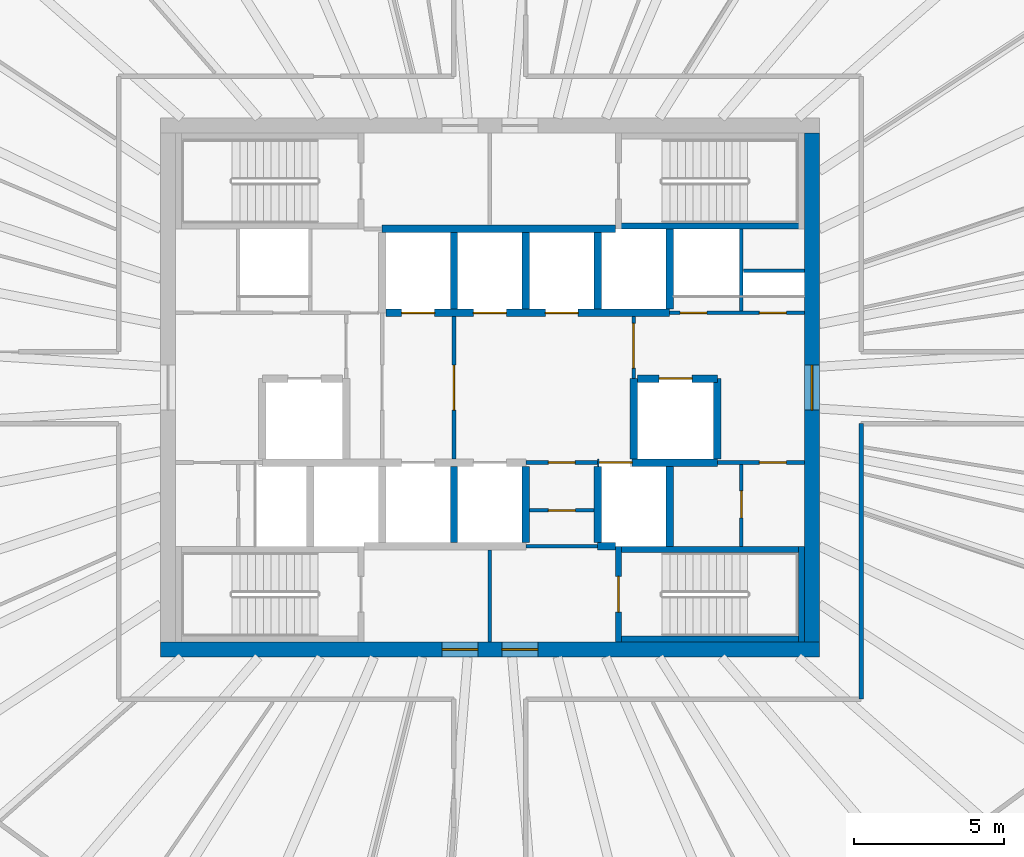
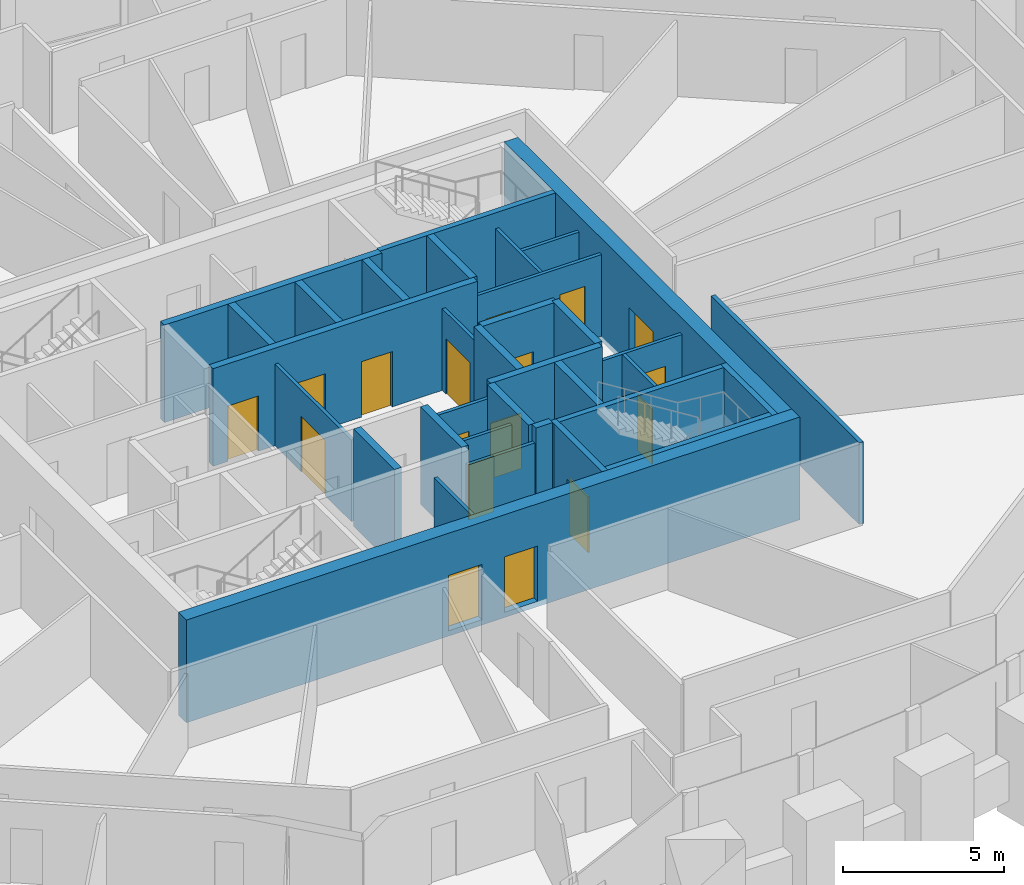
# One storey, part 8 of 12: 34 walls, 17 doors, 17 openings.
"""IFC4 building model written with IfcOpenShell, lengths in metres."""

import ifcopenshell
import ifcopenshell.guid

model = None  # the IFC model being written
_history = None  # IfcOwnerHistory: only IFC2X3 demands one
_inside = {}  # id of a spatial element -> (the spatial element, [elements in it])
_under = {}  # id of a project, library or spatial element -> (it, [spatial elements below it])
_declared = {}  # id of a project -> (the project, [libraries it declares])
_typed = {}  # id of a type object -> (the type object, [elements of that type])
_made_of = {}  # id of a material, layer set ... -> (it, [elements and type objects made of it])


def new_model(schema):
    """Start an empty IFC model of exactly this schema.

    Asked for "IFC4X3", IfcOpenShell would pick the latest addendum, in which some entities
    have other attributes; the version numbers below select the first issue.
    IFC2X3 requires an IfcOwnerHistory on every rooted entity: one is made here for all.
    """
    global model, _history
    if schema == "IFC4X3":
        model = ifcopenshell.file(schema_version=(4, 3, 0, 0))
    else:
        model = ifcopenshell.file(schema=schema)
    _inside.clear()
    _under.clear()
    _declared.clear()
    _typed.clear()
    _made_of.clear()
    _history = None
    if model.schema == "IFC2X3":
        org = make("IfcOrganization", Name="unknown")
        user = make(
            "IfcPersonAndOrganization",
            ThePerson=make("IfcPerson", FamilyName="unknown"),
            TheOrganization=org,
        )
        app = make(
            "IfcApplication",
            ApplicationDeveloper=org,
            Version="unknown",
            ApplicationFullName="unknown",
            ApplicationIdentifier="unknown",
        )
        _history = make(
            "IfcOwnerHistory",
            OwningUser=user,
            OwningApplication=app,
            ChangeAction="ADDED",
            CreationDate=0,
        )
    return model


def make(cls, **values):
    """One entity of the class cls with the attributes given. An attribute that is None is left unset."""
    return model.create_entity(
        cls, **{name: value for name, value in values.items() if value is not None}
    )


def rooted(cls, **values):
    """An entity with a GlobalId (a new one), such as an element, a storey or a relation."""
    return make(cls, GlobalId=ifcopenshell.guid.new(), OwnerHistory=_history, **values)


def si_unit(unit_type, name, prefix=None):
    """IfcSIUnit, for example si_unit("LENGTHUNIT", "METRE", prefix="MILLI")."""
    return make("IfcSIUnit", UnitType=unit_type, Prefix=prefix, Name=name)


def assignment(units):
    """IfcUnitAssignment: the units of a project."""
    return None if units is None else make("IfcUnitAssignment", Units=units)


def point(xyz):
    """IfcCartesianPoint."""
    return None if xyz is None else make("IfcCartesianPoint", Coordinates=xyz)


def direction(xyz):
    """IfcDirection."""
    return None if xyz is None else make("IfcDirection", DirectionRatios=xyz)


def frame(location, z_axis=None, x_axis=None):
    """IfcAxis2Placement3D, a coordinate frame: its origin and axes. An axis left out is left unset."""
    return make(
        "IfcAxis2Placement3D",
        Location=point(location),
        Axis=direction(z_axis),
        RefDirection=direction(x_axis),
    )


def frame_2d(location, x_axis=None):
    """IfcAxis2Placement2D, a coordinate frame in the plane: its origin and x axis."""
    return make(
        "IfcAxis2Placement2D", Location=point(location), RefDirection=direction(x_axis)
    )


def origin():
    """The frame at (0, 0, 0) with its axes left unset."""
    return frame((0.0, 0.0, 0.0))


def place(relative_to, where):
    """IfcLocalPlacement: puts the frame where relative to a parent placement (None: the world)."""
    return make(
        "IfcLocalPlacement", PlacementRelTo=relative_to, RelativePlacement=where
    )


def context(
    kind, dimensions, precision=None, world=None, true_north=None, identifier=None
):
    """IfcGeometricRepresentationContext, for example the 3D "Model" context."""
    return make(
        "IfcGeometricRepresentationContext",
        ContextIdentifier=identifier,
        ContextType=kind,
        CoordinateSpaceDimension=dimensions,
        Precision=precision,
        WorldCoordinateSystem=world,
        TrueNorth=true_north,
    )


def subcontext(parent, identifier, kind, view, scale=None):
    """IfcGeometricRepresentationSubContext, for example "Body" below "Model"."""
    return make(
        "IfcGeometricRepresentationSubContext",
        ContextIdentifier=identifier,
        ContextType=kind,
        ParentContext=parent,
        TargetScale=scale,
        TargetView=view,
    )


def project(units=None, contexts=None):
    """IfcProject with its units and contexts."""
    return rooted(
        "IfcProject",
        Name="project",
        RepresentationContexts=contexts,
        UnitsInContext=assignment(units),
    )


def spatial(cls, under=None, at=None, **own):
    """A site, building, storey or space (cls), placed at a placement, below another one or the project."""
    s = rooted(cls, ObjectPlacement=at, **own)
    if under is not None:
        _under.setdefault(under.id(), (under, []))[1].append(s)
    return s


def profile(cls, at=None, kind="AREA", **sizes):
    """A parametric profile (cls). Its sizes go by their IFC names, for example OverallWidth=200.0."""
    return make(cls, ProfileType=kind, Position=at, **sizes)


def rectangle(**sizes):
    """IfcRectangleProfileDef."""
    return profile("IfcRectangleProfileDef", **sizes)


def extrude(swept, where, along, depth):
    """IfcExtrudedAreaSolid: the profile swept, set in the frame where, extruded along a direction by depth."""
    return make(
        "IfcExtrudedAreaSolid",
        SweptArea=swept,
        Position=where,
        ExtrudedDirection=direction(along),
        Depth=depth,
    )


def shape(context_of_items, identifier, shape_type, items):
    """IfcShapeRepresentation: the items that make up one representation, for example the "Body"."""
    return make(
        "IfcShapeRepresentation",
        ContextOfItems=context_of_items,
        RepresentationIdentifier=identifier,
        RepresentationType=shape_type,
        Items=items,
    )


def source(mapping_origin, context_of_items, identifier, shape_type, items):
    """IfcRepresentationMap: a shape defined once, which mapped items show again and again."""
    return make(
        "IfcRepresentationMap",
        MappingOrigin=mapping_origin,
        MappedRepresentation=shape(context_of_items, identifier, shape_type, items),
    )


def transform(
    local_origin,
    x_axis=None,
    y_axis=None,
    z_axis=None,
    scale=None,
    scale2=None,
    scale3=None,
    uniform=True,
):
    """IfcCartesianTransformationOperator3D, or its non-uniform kind. x_axis, y_axis, z_axis: its Axis1, 2, 3."""
    if uniform:
        return make(
            "IfcCartesianTransformationOperator3D",
            Axis1=direction(x_axis),
            Axis2=direction(y_axis),
            LocalOrigin=point(local_origin),
            Scale=scale,
            Axis3=direction(z_axis),
        )
    return make(
        "IfcCartesianTransformationOperator3DnonUniform",
        Axis1=direction(x_axis),
        Axis2=direction(y_axis),
        LocalOrigin=point(local_origin),
        Scale=scale,
        Axis3=direction(z_axis),
        Scale2=scale2,
        Scale3=scale3,
    )


def mapped(mapping_source, mapping_target):
    """IfcMappedItem: shows the shape of a source again, moved by a transform."""
    return make(
        "IfcMappedItem", MappingSource=mapping_source, MappingTarget=mapping_target
    )


def material(Name=None, Category=None):
    """IfcMaterial."""
    return make("IfcMaterial", Name=Name, Category=Category)


def layer(
    of_material, thickness, ventilated=None, Name=None, Category=None, Priority=None
):
    """IfcMaterialLayer: one layer of a wall or slab, of a material (None: an air gap)."""
    return make(
        "IfcMaterialLayer",
        Material=of_material,
        LayerThickness=thickness,
        IsVentilated=ventilated,
        Name=Name,
        Category=Category,
        Priority=Priority,
    )


def layer_set(layers, Name=None):
    """IfcMaterialLayerSet."""
    return make("IfcMaterialLayerSet", MaterialLayers=layers, LayerSetName=Name)


def made_of(thing, what):
    """Note that an element or type object is made of a material, layer set ...; save() writes the relation."""
    if what is not None:
        _made_of.setdefault(what.id(), (what, []))[1].append(thing)
    return thing


def type_object(cls, material=None, **own):
    """A type object (cls), such as IfcWallType, which elements share."""
    return made_of(rooted(cls, **own), material)


def element(
    cls,
    number,
    at=None,
    inside=None,
    cuts=None,
    type_object=None,
    material=None,
    context=None,
    identifier="Body",
    shape_type=None,
    held_by="IfcProductDefinitionShape",
    body=None,
    shapes=None,
    **own,
):
    """One element of the class cls, such as IfcWall. Its Tag is "e" and its number.

    at: its placement. inside: the storey or other place that contains it. cuts: it is an
    opening in that element (IfcRelVoidsElement). A single representation is given by context,
    identifier, shape_type and body (its items); several are given by shapes. held_by: the class
    of the entity that holds the representations. save() writes the other relations.
    """
    e = rooted(cls, Tag="e%d" % number, ObjectPlacement=at, **own)
    if body is not None:
        shapes = [shape(context, identifier, shape_type, body)]
    if shapes is not None:
        e.Representation = make(held_by, Representations=shapes)
    if inside is not None:
        _inside.setdefault(inside.id(), (inside, []))[1].append(e)
    if cuts is not None:
        rooted(
            "IfcRelVoidsElement", RelatingBuildingElement=cuts, RelatedOpeningElement=e
        )
    if type_object is not None:
        _typed.setdefault(type_object.id(), (type_object, []))[1].append(e)
    return made_of(e, material)


def fill(opening, filler):
    """IfcRelFillsElement: the door or window that sits in an opening."""
    return rooted(
        "IfcRelFillsElement",
        RelatingOpeningElement=opening,
        RelatedBuildingElement=filler,
    )


def aggregate(whole, parts):
    """IfcRelAggregates: a whole, such as a stair, and the parts it consists of."""
    return rooted("IfcRelAggregates", RelatingObject=whole, RelatedObjects=parts)


def save(model, path):
    """Write the relations noted so far, then the file.

    IfcRelAggregates (storeys below a building ...), IfcRelContainedInSpatialStructure (elements
    in a storey), IfcRelDefinesByType, IfcRelAssociatesMaterial and IfcRelDeclares: one each for
    every whole, place, type object, material and project.
    """
    for whole, parts in _under.values():
        aggregate(whole, parts)
    for where, things in _inside.values():
        rooted(
            "IfcRelContainedInSpatialStructure",
            RelatedElements=things,
            RelatingStructure=where,
        )
    for kind, things in _typed.values():
        rooted("IfcRelDefinesByType", RelatedObjects=things, RelatingType=kind)
    for what, things in _made_of.values():
        rooted("IfcRelAssociatesMaterial", RelatedObjects=things, RelatingMaterial=what)
    for by, libraries in _declared.values():
        rooted("IfcRelDeclares", RelatingContext=by, RelatedDefinitions=libraries)
    model.write(path)


model = new_model("IFC4")

# Units and contexts
model_context = context("Model", 3, precision=1e-05, world=origin(), true_north=direction((0.0, 1.0)))
body_context = subcontext(model_context, "Body", "Model", "MODEL_VIEW")
ifc_project = project(units=[si_unit("LENGTHUNIT", "METRE"), si_unit("AREAUNIT", "SQUARE_METRE"), si_unit("VOLUMEUNIT", "CUBIC_METRE"), si_unit("PLANEANGLEUNIT", "RADIAN"), si_unit("MASSUNIT", "GRAM", prefix="KILO")], contexts=[model_context])

# Site, building, storey
site_placement = place(None, origin())
site = spatial("IfcSite", under=ifc_project, at=site_placement, CompositionType="ELEMENT")
building_placement = place(site_placement, origin())
building = spatial("IfcBuilding", under=site, at=building_placement, Name="Embergate Tower", CompositionType="ELEMENT")
storey_placement = place(building_placement, frame((0.0, 0.0, 246.10009765625)))
storey = spatial("IfcBuildingStorey", under=building, at=storey_placement, Name="L56", CompositionType="ELEMENT", Elevation=246.10009765625)

# Wall, openings, doors
ifc_material_1 = material(Name="Concrete C50", Category="concrete")
ifc_layer_1 = layer(ifc_material_1, 0.5)
ifc_layer_set_1 = layer_set([ifc_layer_1], Name="Concrete C50")
wall_type_1 = type_object("IfcWallType", Name="Core outer wall C50 500", PredefinedType="SHEAR", material=ifc_layer_set_1)
shared_shape_1 = source(origin(), body_context, "Body", "SweptSolid", [
    extrude(rectangle(XDim=22.0, YDim=0.5, at=frame_2d((11.0, 0.0))), origin(), (0.0, 0.0, 1.0), 3.900146484375),
])
wall_1_placement = place(storey_placement, frame((-11.0, -8.75, -0.2001953125), z_axis=(0.0, 0.0, 1.0), x_axis=(1.0, 0.0, 0.0)))
wall_1 = element("IfcWall", 1, at=wall_1_placement, inside=storey, type_object=wall_type_1, Name="CW-L56-S", PredefinedType="SHEAR", context=body_context, shape_type="MappedRepresentation", body=[
    mapped(shared_shape_1, transform((0.0, 0.0, 0.0))),
])
shared_shape_2 = source(origin(), body_context, "Body", "SweptSolid", [
    extrude(rectangle(XDim=1.199951171875, YDim=2.10009765625, at=frame_2d((0.60009765625, 1.050048828125))), frame((0.0, 0.260009765625, 0.0), z_axis=(0.0, -1.0, 0.0), x_axis=(1.0, 0.0, 0.0)), (0.0, 0.0, 1.0), 0.52001953125),
])
opening_1_placement = place(wall_1_placement, frame((9.39990234375, 0.0, 0.199951171875)))
opening_1 = element("IfcOpeningElement", 2, at=opening_1_placement, cuts=wall_1, Name="Opening IF-1", PredefinedType="OPENING", context=body_context, shape_type="MappedRepresentation", body=[
    mapped(shared_shape_2, transform((0.0, 0.0, 0.0))),
])
opening_2_placement = place(wall_1_placement, frame((11.39990234375, 0.0, 0.199951171875)))
opening_2 = element("IfcOpeningElement", 3, at=opening_2_placement, cuts=wall_1, Name="Opening IF-1", PredefinedType="OPENING", context=body_context, shape_type="MappedRepresentation", body=[
    mapped(shared_shape_2, transform((0.0, 0.0, 0.0))),
])
ifc_material_2 = material(Name="Escape fire door 1200")
door_type_1 = type_object("IfcDoorType", Name="Escape fire door 1200", OperationType="SINGLE_SWING_LEFT", PredefinedType="DOOR", material=ifc_material_2)
shared_shape_3 = source(origin(), body_context, "Body", "SweptSolid", [
    extrude(rectangle(XDim=1.199951171875, YDim=2.10009765625, at=frame_2d((0.60009765625, 1.050048828125))), frame((0.0, 0.02490234375, 0.0), z_axis=(0.0, -1.0, 0.0), x_axis=(1.0, 0.0, 0.0)), (0.0, 0.0, 1.0), 0.050048828125),
])
door_1_placement = place(opening_1_placement, origin())
door_1 = element("IfcDoor", 4, at=door_1_placement, inside=storey, type_object=door_type_1, Name="IF-1 door", OperationType="SINGLE_SWING_LEFT", OverallHeight=2.10009765625, OverallWidth=1.199951171875, PredefinedType="DOOR", context=body_context, shape_type="MappedRepresentation", body=[
    mapped(shared_shape_3, transform((0.0, 0.0, 0.0))),
])
fill(opening_1, door_1)
door_2_placement = place(opening_2_placement, origin())
door_2 = element("IfcDoor", 5, at=door_2_placement, inside=storey, type_object=door_type_1, Name="IF-1 door", OperationType="SINGLE_SWING_LEFT", OverallHeight=2.10009765625, OverallWidth=1.199951171875, PredefinedType="DOOR", context=body_context, shape_type="MappedRepresentation", body=[
    mapped(shared_shape_3, transform((0.0, 0.0, 0.0))),
])
fill(opening_2, door_2)

# Wall, opening, door
shared_shape_4 = source(origin(), body_context, "Body", "SweptSolid", [
    extrude(rectangle(XDim=17.0, YDim=0.5, at=frame_2d((8.5, 0.0))), origin(), (0.0, 0.0, 1.0), 3.900146484375),
])
wall_2_placement = place(storey_placement, frame((10.75, -8.5, -0.2001953125), z_axis=(0.0, 0.0, 1.0), x_axis=(0.0, 1.0, 0.0)))
wall_2 = element("IfcWall", 6, at=wall_2_placement, inside=storey, type_object=wall_type_1, Name="CW-L56-E", PredefinedType="SHEAR", context=body_context, shape_type="MappedRepresentation", body=[
    mapped(shared_shape_4, transform((0.0, 0.0, 0.0))),
])
shared_shape_5 = source(origin(), body_context, "Body", "SweptSolid", [
    extrude(rectangle(XDim=1.5, YDim=2.10009765625, at=frame_2d((0.75, 1.050048828125))), frame((0.0, 0.260009765625, 0.0), z_axis=(0.0, -1.0, 0.0), x_axis=(1.0, 0.0, 0.0)), (0.0, 0.0, 1.0), 0.52001953125),
])
opening_3_placement = place(wall_2_placement, frame((7.75, 0.0, 0.199951171875)))
opening_3 = element("IfcOpeningElement", 7, at=opening_3_placement, cuts=wall_2, Name="Opening IF-3", PredefinedType="OPENING", context=body_context, shape_type="MappedRepresentation", body=[
    mapped(shared_shape_5, transform((0.0, 0.0, 0.0))),
])
ifc_material_3 = material(Name="Lobby fire door pair 1500")
door_type_2 = type_object("IfcDoorType", Name="Lobby fire door pair 1500", OperationType="DOUBLE_DOOR_SINGLE_SWING", PredefinedType="DOOR", material=ifc_material_3)
shared_shape_6 = source(origin(), body_context, "Body", "SweptSolid", [
    extrude(rectangle(XDim=1.5, YDim=2.10009765625, at=frame_2d((0.75, 1.050048828125))), frame((0.0, 0.02490234375, 0.0), z_axis=(0.0, -1.0, 0.0), x_axis=(1.0, 0.0, 0.0)), (0.0, 0.0, 1.0), 0.050048828125),
])
door_3_placement = place(opening_3_placement, origin())
door_3 = element("IfcDoor", 8, at=door_3_placement, inside=storey, type_object=door_type_2, Name="IF-3 door", OperationType="DOUBLE_DOOR_SINGLE_SWING", OverallHeight=2.10009765625, OverallWidth=1.5, PredefinedType="DOOR", context=body_context, shape_type="MappedRepresentation", body=[
    mapped(shared_shape_6, transform((0.0, 0.0, 0.0))),
])
fill(opening_3, door_3)

# Walls
ifc_layer_2 = layer(ifc_material_1, 0.25)
ifc_layer_set_2 = layer_set([ifc_layer_2], Name="Concrete C50")
wall_type_2 = type_object("IfcWallType", Name="Hoistway wall reinforced concrete 250", PredefinedType="SHEAR", material=ifc_layer_set_2)
shared_shape_7 = source(origin(), body_context, "Body", "SweptSolid", [
    extrude(rectangle(XDim=2.675048828125, YDim=0.25, at=frame_2d((1.33740234375, 0.0))), origin(), (0.0, 0.0, 1.0), 3.699951171875),
])
for number, where, z_axis, x_axis, name in (
    (9, (6.0, 2.625, 0.0), (0.0, 0.0, 1.0), (0.0, 1.0, 0.0), "HW-1 wall"),
    (10, (6.0, -5.300048828125, 0.0), (0.0, 0.0, 1.0), (0.0, 1.0, 0.0), "HW-1 wall"),
    (11, (4.800048828125, -2.375, 0.0), (0.0, 0.0, 1.0), (0.0, 1.0, 0.0), "HW-1 wall"),
):
    element("IfcWall", number, at=place(storey_placement, frame(where, z_axis=z_axis, x_axis=x_axis)), inside=storey, type_object=wall_type_2, Name=name, PredefinedType="SHEAR", context=body_context, shape_type="MappedRepresentation", body=[
        mapped(shared_shape_7, transform((0.0, 0.0, 0.0))),
    ])

# Wall, opening, door
wall_3_placement = place(storey_placement, frame((7.60009765625, 0.300048828125, 0.0), z_axis=(0.0, 0.0, 1.0), x_axis=(-1.0, 0.0, 0.0)))
wall_3 = element("IfcWall", 12, at=wall_3_placement, inside=storey, type_object=wall_type_2, Name="HW-1 wall", PredefinedType="SHEAR", context=body_context, shape_type="MappedRepresentation", body=[
    mapped(shared_shape_7, transform((0.0, 0.0, 0.0))),
])
shared_shape_8 = source(origin(), body_context, "Body", "SweptSolid", [
    extrude(rectangle(XDim=1.10009765625, YDim=2.10009765625, at=frame_2d((0.550048828125, 1.050048828125))), frame((0.0, 0.135009765625, 0.0), z_axis=(0.0, -1.0, 0.0), x_axis=(1.0, 0.0, 0.0)), (0.0, 0.0, 1.0), 0.27001953125),
])
opening_4_placement = place(wall_3_placement, frame((0.85009765625, 0.0, 0.0)))
opening_4 = element("IfcOpeningElement", 13, at=opening_4_placement, cuts=wall_3, Name="Opening LD", PredefinedType="OPENING", context=body_context, shape_type="MappedRepresentation", body=[
    mapped(shared_shape_8, transform((0.0, 0.0, 0.0))),
])
ifc_material_4 = material(Name="Landing door sliding 1100")
door_type_3 = type_object("IfcDoorType", Name="Landing door sliding 1100", OperationType="SLIDING_TO_LEFT", PredefinedType="DOOR", material=ifc_material_4)
shared_shape_9 = source(origin(), body_context, "Body", "SweptSolid", [
    extrude(rectangle(XDim=1.10009765625, YDim=2.10009765625, at=frame_2d((0.550048828125, 1.050048828125))), frame((0.0, 0.02490234375, 0.0), z_axis=(0.0, -1.0, 0.0), x_axis=(1.0, 0.0, 0.0)), (0.0, 0.0, 1.0), 0.050048828125),
])
door_4_placement = place(opening_4_placement, origin())
door_4 = element("IfcDoor", 14, at=door_4_placement, inside=storey, type_object=door_type_3, Name="LD door", OperationType="SLIDING_TO_LEFT", OverallHeight=2.10009765625, OverallWidth=1.10009765625, PredefinedType="DOOR", context=body_context, shape_type="MappedRepresentation", body=[
    mapped(shared_shape_9, transform((0.0, 0.0, 0.0))),
])
fill(opening_4, door_4)

# Walls
wall_4_placement = place(storey_placement, frame((7.60009765625, -2.375, 0.0), z_axis=(0.0, 0.0, 1.0), x_axis=(0.0, 1.0, 0.0)))
element("IfcWall", 15, at=wall_4_placement, inside=storey, type_object=wall_type_2, Name="HW-1 wall", PredefinedType="SHEAR", context=body_context, shape_type="MappedRepresentation", body=[
    mapped(shared_shape_7, transform((0.0, 0.0, 0.0))),
])
ifc_layer_3 = layer(ifc_material_1, 0.199951171875)
ifc_layer_set_3 = layer_set([ifc_layer_3], Name="Concrete C50")
wall_type_3 = type_object("IfcWallType", Name="Stair enclosure wall reinforced concrete 250", PredefinedType="SHEAR", material=ifc_layer_set_3)
shared_shape_10 = source(origin(), body_context, "Body", "SweptSolid", [
    extrude(rectangle(XDim=6.300048828125, YDim=0.199951171875, at=frame_2d((3.14990234375, 0.0))), origin(), (0.0, 0.0, 1.0), 3.699951171875),
])
for number, where, z_axis, x_axis, name in (
    (16, (10.5, 5.39990234375, 0.0), (0.0, 0.0, 1.0), (-1.0, 0.0, 0.0), "SE-1 wall"),
    (17, (4.199951171875, -5.39990234375, 0.0), (0.0, 0.0, 1.0), (1.0, 0.0, 0.0), "SE-1 wall"),
):
    element("IfcWall", number, at=place(storey_placement, frame(where, z_axis=z_axis, x_axis=x_axis)), inside=storey, type_object=wall_type_3, Name=name, PredefinedType="SHEAR", context=body_context, shape_type="MappedRepresentation", body=[
        mapped(shared_shape_10, transform((0.0, 0.0, 0.0))),
    ])
shared_shape_11 = source(origin(), body_context, "Body", "SweptSolid", [
    extrude(rectangle(XDim=2.550048828125, YDim=0.25, at=frame_2d((1.27490234375, 0.0))), origin(), (0.0, 0.0, 1.0), 3.699951171875),
])
for number, where, z_axis, x_axis, name in (
    (18, (-1.199951171875, 2.625, 0.0), (0.0, 0.0, 1.0), (0.0, 1.0, 0.0), "HW-1 wall"),
    (19, (1.199951171875, 2.625, 0.0), (0.0, 0.0, 1.0), (0.0, 1.0, 0.0), "HW-1 wall"),
    (20, (3.60009765625, 2.625, 0.0), (0.0, 0.0, 1.0), (0.0, 1.0, 0.0), "HW-1 wall"),
    (21, (-1.199951171875, -5.175048828125, 0.0), (0.0, 0.0, 1.0), (0.0, 1.0, 0.0), "HW-1 wall"),
    (22, (1.199951171875, -5.175048828125, 0.0), (0.0, 0.0, 1.0), (0.0, 1.0, 0.0), "HW-1 wall"),
    (23, (3.60009765625, -2.625, 0.0), (0.0, 0.0, 1.0), (0.0, -1.0, 0.0), "HW-1 wall"),
):
    element("IfcWall", number, at=place(storey_placement, frame(where, z_axis=z_axis, x_axis=x_axis)), inside=storey, type_object=wall_type_2, Name=name, PredefinedType="SHEAR", context=body_context, shape_type="MappedRepresentation", body=[
        mapped(shared_shape_11, transform((0.0, 0.0, 0.0))),
    ])

# Wall, opening, door
shared_shape_12 = source(origin(), body_context, "Body", "SweptSolid", [
    extrude(rectangle(XDim=3.199951171875, YDim=0.199951171875, at=frame_2d((1.60009765625, 0.0))), origin(), (0.0, 0.0, 1.0), 3.699951171875),
])
wall_5_placement = place(storey_placement, frame((4.300048828125, -5.300048828125, 0.0), z_axis=(0.0, 0.0, 1.0), x_axis=(0.0, -1.0, 0.0)))
wall_5 = element("IfcWall", 24, at=wall_5_placement, inside=storey, type_object=wall_type_3, Name="SE-1 wall", PredefinedType="SHEAR", context=body_context, shape_type="MappedRepresentation", body=[
    mapped(shared_shape_12, transform((0.0, 0.0, 0.0))),
])
shared_shape_13 = source(origin(), body_context, "Body", "SweptSolid", [
    extrude(rectangle(XDim=1.199951171875, YDim=2.10009765625, at=frame_2d((0.60009765625, 1.050048828125))), frame((0.0, 0.10986328125, 0.0), z_axis=(0.0, -1.0, 0.0), x_axis=(1.0, 0.0, 0.0)), (0.0, 0.0, 1.0), 0.219970703125),
])
opening_5_placement = place(wall_5_placement, frame((1.0, 0.0, 0.0)))
opening_5 = element("IfcOpeningElement", 25, at=opening_5_placement, cuts=wall_5, Name="Opening IF-2", PredefinedType="OPENING", context=body_context, shape_type="MappedRepresentation", body=[
    mapped(shared_shape_13, transform((0.0, 0.0, 0.0))),
])
ifc_material_5 = material(Name="Stair enclosure door 1200")
door_type_4 = type_object("IfcDoorType", Name="Stair enclosure door 1200", OperationType="SINGLE_SWING_LEFT", PredefinedType="DOOR", material=ifc_material_5)
door_5_placement = place(opening_5_placement, origin())
door_5 = element("IfcDoor", 26, at=door_5_placement, inside=storey, type_object=door_type_4, Name="IF-2 door", OperationType="SINGLE_SWING_LEFT", OverallHeight=2.10009765625, OverallWidth=1.199951171875, PredefinedType="DOOR", context=body_context, shape_type="MappedRepresentation", body=[
    mapped(shared_shape_3, transform((0.0, 0.0, 0.0))),
])
fill(opening_5, door_5)

ifc_material_6 = material(Name="Core partition blockwork 120")
ifc_layer_4 = layer(ifc_material_6, 0.1201171875)
ifc_layer_set_4 = layer_set([ifc_layer_4], Name="Core partition blockwork 120")
wall_type_4 = type_object("IfcWallType", Name="Core partition blockwork 120", PredefinedType="PARTITIONING", material=ifc_layer_set_4)
shared_shape_14 = source(origin(), body_context, "Body", "SweptSolid", [
    extrude(rectangle(XDim=2.739990234375, YDim=0.1201171875, at=frame_2d((1.3701171875, 0.0))), origin(), (0.0, 0.0, 1.0), 3.099853515625),
])
wall_6_placement = place(storey_placement, frame((8.39990234375, -5.300048828125, 0.0), z_axis=(0.0, 0.0, 1.0), x_axis=(0.0, 1.0, 0.0)))
wall_6 = element("IfcWall", 27, at=wall_6_placement, inside=storey, type_object=wall_type_4, Name="IP-3 wall", PredefinedType="PARTITIONING", context=body_context, shape_type="MappedRepresentation", body=[
    mapped(shared_shape_14, transform((0.0, 0.0, 0.0))),
])
shared_shape_15 = source(origin(), body_context, "Body", "SweptSolid", [
    extrude(rectangle(XDim=0.89990234375, YDim=2.10009765625, at=frame_2d((0.449951171875, 1.050048828125))), frame((0.0, 0.070068359375, 0.0), z_axis=(0.0, -1.0, 0.0), x_axis=(1.0, 0.0, 0.0)), (0.0, 0.0, 1.0), 0.14013671875),
])
opening_6_placement = place(wall_6_placement, frame((0.949951171875, 0.0, 0.0)))
opening_6 = element("IfcOpeningElement", 28, at=opening_6_placement, cuts=wall_6, Name="Opening ID-1", PredefinedType="OPENING", context=body_context, shape_type="MappedRepresentation", body=[
    mapped(shared_shape_15, transform((0.0, 0.0, 0.0))),
])
ifc_material_7 = material(Name="Interior door 900")
door_type_5 = type_object("IfcDoorType", Name="Interior door 900", OperationType="SINGLE_SWING_LEFT", PredefinedType="DOOR", material=ifc_material_7)
shared_shape_16 = source(origin(), body_context, "Body", "SweptSolid", [
    extrude(rectangle(XDim=0.89990234375, YDim=2.10009765625, at=frame_2d((0.449951171875, 1.050048828125))), frame((0.0, 0.02490234375, 0.0), z_axis=(0.0, -1.0, 0.0), x_axis=(1.0, 0.0, 0.0)), (0.0, 0.0, 1.0), 0.050048828125),
])
door_6_placement = place(opening_6_placement, origin())
door_6 = element("IfcDoor", 29, at=door_6_placement, inside=storey, type_object=door_type_5, Name="ID-1 door", OperationType="SINGLE_SWING_RIGHT", OverallHeight=2.10009765625, OverallWidth=0.89990234375, PredefinedType="DOOR", context=body_context, shape_type="MappedRepresentation", body=[
    mapped(shared_shape_16, transform((0.0, 0.0, 0.0))),
])
fill(opening_6, door_6)

shared_shape_17 = source(origin(), body_context, "Body", "SweptSolid", [
    extrude(rectangle(XDim=4.75, YDim=0.1201171875, at=frame_2d((2.375, 0.0))), origin(), (0.0, 0.0, 1.0), 3.099853515625),
])
wall_7_placement = place(storey_placement, frame((-1.199951171875, -2.375, 0.0), z_axis=(0.0, 0.0, 1.0), x_axis=(0.0, 1.0, 0.0)))
wall_7 = element("IfcWall", 30, at=wall_7_placement, inside=storey, type_object=wall_type_4, Name="IP-3 wall", PredefinedType="PARTITIONING", context=body_context, shape_type="MappedRepresentation", body=[
    mapped(shared_shape_17, transform((0.0, 0.0, 0.0))),
])
shared_shape_18 = source(origin(), body_context, "Body", "SweptSolid", [
    extrude(rectangle(XDim=1.5, YDim=2.10009765625, at=frame_2d((0.75, 1.050048828125))), frame((0.0, 0.070068359375, 0.0), z_axis=(0.0, -1.0, 0.0), x_axis=(1.0, 0.0, 0.0)), (0.0, 0.0, 1.0), 0.14013671875),
])
opening_7_placement = place(wall_7_placement, frame((1.625, 0.0, 0.0)))
opening_7 = element("IfcOpeningElement", 31, at=opening_7_placement, cuts=wall_7, Name="Opening IF-3", PredefinedType="OPENING", context=body_context, shape_type="MappedRepresentation", body=[
    mapped(shared_shape_18, transform((0.0, 0.0, 0.0))),
])
door_7_placement = place(opening_7_placement, origin())
door_7 = element("IfcDoor", 32, at=door_7_placement, inside=storey, type_object=door_type_2, Name="IF-3 door", OperationType="DOUBLE_DOOR_SINGLE_SWING", OverallHeight=2.10009765625, OverallWidth=1.5, PredefinedType="DOOR", context=body_context, shape_type="MappedRepresentation", body=[
    mapped(shared_shape_6, transform((0.0, 0.0, 0.0))),
])
fill(opening_7, door_7)

shared_shape_19 = source(origin(), body_context, "Body", "SweptSolid", [
    extrude(rectangle(XDim=2.074951171875, YDim=0.1201171875, at=frame_2d((1.03759765625, 0.0))), origin(), (0.0, 0.0, 1.0), 3.099853515625),
])
wall_8_placement = place(storey_placement, frame((4.800048828125, 0.300048828125, 0.0), z_axis=(0.0, 0.0, 1.0), x_axis=(0.0, 1.0, 0.0)))
wall_8 = element("IfcWall", 33, at=wall_8_placement, inside=storey, type_object=wall_type_4, Name="IP-3 wall", PredefinedType="PARTITIONING", context=body_context, shape_type="MappedRepresentation", body=[
    mapped(shared_shape_19, transform((0.0, 0.0, 0.0))),
])
opening_8_placement = place(wall_8_placement, frame((0.35009765625, 0.0, 0.0)))
opening_8 = element("IfcOpeningElement", 34, at=opening_8_placement, cuts=wall_8, Name="Opening IF-3", PredefinedType="OPENING", context=body_context, shape_type="MappedRepresentation", body=[
    mapped(shared_shape_18, transform((0.0, 0.0, 0.0))),
])
door_8_placement = place(opening_8_placement, origin())
door_8 = element("IfcDoor", 35, at=door_8_placement, inside=storey, type_object=door_type_2, Name="IF-3 door", OperationType="DOUBLE_DOOR_SINGLE_SWING", OverallHeight=2.10009765625, OverallWidth=1.5, PredefinedType="DOOR", context=body_context, shape_type="MappedRepresentation", body=[
    mapped(shared_shape_6, transform((0.0, 0.0, 0.0))),
])
fill(opening_8, door_8)

# Walls
shared_shape_20 = source(origin(), body_context, "Body", "SweptSolid", [
    extrude(rectangle(XDim=0.599853515625, YDim=0.25, at=frame_2d((0.2998046875, 0.0))), origin(), (0.0, 0.0, 1.0), 3.699951171875),
])
wall_9_placement = place(storey_placement, frame((3.60009765625, -5.300048828125, 0.0), z_axis=(0.0, 0.0, 1.0), x_axis=(1.0, 0.0, 0.0)))
element("IfcWall", 36, at=wall_9_placement, inside=storey, type_object=wall_type_2, Name="HW-1 wall", PredefinedType="SHEAR", context=body_context, shape_type="MappedRepresentation", body=[
    mapped(shared_shape_20, transform((0.0, 0.0, 0.0))),
])
ifc_material_8 = material(Name="Corridor wall dry-lined 150")
ifc_layer_5 = layer(ifc_material_8, 0.14990234375)
ifc_layer_set_5 = layer_set([ifc_layer_5], Name="Corridor wall dry-lined 150")
wall_type_5 = type_object("IfcWallType", Name="Corridor wall dry-lined 150", PredefinedType="PARTITIONING", material=ifc_layer_set_5)
shared_shape_21 = source(origin(), body_context, "Body", "SweptSolid", [
    extrude(rectangle(XDim=9.199951171875, YDim=0.14990234375, at=frame_2d((4.60009765625, 0.0))), origin(), (0.0, 0.0, 1.0), 3.099853515625),
])
wall_10_placement = place(storey_placement, frame((12.39990234375, -1.199951171875, 0.0), z_axis=(0.0, 0.0, 1.0), x_axis=(0.0, -1.0, 0.0)))
element("IfcWall", 37, at=wall_10_placement, inside=storey, type_object=wall_type_5, Name="IP-2 wall", PredefinedType="PARTITIONING", context=body_context, shape_type="MappedRepresentation", body=[
    mapped(shared_shape_21, transform((0.0, 0.0, 0.0))),
])

# Wall, openings, doors
shared_shape_22 = source(origin(), body_context, "Body", "SweptSolid", [
    extrude(rectangle(XDim=9.47509765625, YDim=0.25, at=frame_2d((4.737548828125, 0.0))), origin(), (0.0, 0.0, 1.0), 3.699951171875),
])
wall_11_placement = place(storey_placement, frame((-3.47509765625, 2.5, 0.0), z_axis=(0.0, 0.0, 1.0), x_axis=(1.0, 0.0, 0.0)))
wall_11 = element("IfcWall", 38, at=wall_11_placement, inside=storey, type_object=wall_type_2, Name="HW-1 wall", PredefinedType="SHEAR", context=body_context, shape_type="MappedRepresentation", body=[
    mapped(shared_shape_22, transform((0.0, 0.0, 0.0))),
])
opening_9_placement = place(wall_11_placement, frame((0.52490234375, 0.0, 0.0)))
opening_9 = element("IfcOpeningElement", 39, at=opening_9_placement, cuts=wall_11, Name="Opening LD", PredefinedType="OPENING", context=body_context, shape_type="MappedRepresentation", body=[
    mapped(shared_shape_8, transform((0.0, 0.0, 0.0))),
])
opening_10_placement = place(wall_11_placement, frame((2.925048828125, 0.0, 0.0)))
opening_10 = element("IfcOpeningElement", 40, at=opening_10_placement, cuts=wall_11, Name="Opening LD", PredefinedType="OPENING", context=body_context, shape_type="MappedRepresentation", body=[
    mapped(shared_shape_8, transform((0.0, 0.0, 0.0))),
])
opening_11_placement = place(wall_11_placement, frame((5.324951171875, 0.0, 0.0)))
opening_11 = element("IfcOpeningElement", 41, at=opening_11_placement, cuts=wall_11, Name="Opening LD", PredefinedType="OPENING", context=body_context, shape_type="MappedRepresentation", body=[
    mapped(shared_shape_8, transform((0.0, 0.0, 0.0))),
])
door_9_placement = place(opening_9_placement, origin())
door_9 = element("IfcDoor", 42, at=door_9_placement, inside=storey, type_object=door_type_3, Name="LD door", OperationType="SLIDING_TO_LEFT", OverallHeight=2.10009765625, OverallWidth=1.10009765625, PredefinedType="DOOR", context=body_context, shape_type="MappedRepresentation", body=[
    mapped(shared_shape_9, transform((0.0, 0.0, 0.0))),
])
fill(opening_9, door_9)
door_10_placement = place(opening_10_placement, origin())
door_10 = element("IfcDoor", 43, at=door_10_placement, inside=storey, type_object=door_type_3, Name="LD door", OperationType="SLIDING_TO_LEFT", OverallHeight=2.10009765625, OverallWidth=1.10009765625, PredefinedType="DOOR", context=body_context, shape_type="MappedRepresentation", body=[
    mapped(shared_shape_9, transform((0.0, 0.0, 0.0))),
])
fill(opening_10, door_10)
door_11_placement = place(opening_11_placement, origin())
door_11 = element("IfcDoor", 44, at=door_11_placement, inside=storey, type_object=door_type_3, Name="LD door", OperationType="SLIDING_TO_RIGHT", OverallHeight=2.10009765625, OverallWidth=1.10009765625, PredefinedType="DOOR", context=body_context, shape_type="MappedRepresentation", body=[
    mapped(shared_shape_9, transform((0.0, 0.0, 0.0))),
])
fill(opening_11, door_11)

# Wall
shared_shape_23 = source(origin(), body_context, "Body", "SweptSolid", [
    extrude(rectangle(XDim=7.800048828125, YDim=0.25, at=frame_2d((3.89990234375, 0.0))), origin(), (0.0, 0.0, 1.0), 3.699951171875),
])
wall_12_placement = place(storey_placement, frame((4.199951171875, 5.300048828125, 0.0), z_axis=(0.0, 0.0, 1.0), x_axis=(-1.0, 0.0, 0.0)))
element("IfcWall", 45, at=wall_12_placement, inside=storey, type_object=wall_type_2, Name="HW-1 wall", PredefinedType="SHEAR", context=body_context, shape_type="MappedRepresentation", body=[
    mapped(shared_shape_23, transform((0.0, 0.0, 0.0))),
])

# Wall, openings, doors
shared_shape_24 = source(origin(), body_context, "Body", "SweptSolid", [
    extrude(rectangle(XDim=4.5, YDim=0.1201171875, at=frame_2d((2.25, 0.0))), origin(), (0.0, 0.0, 1.0), 3.099853515625),
])
wall_13_placement = place(storey_placement, frame((6.0, 2.5, 0.0), z_axis=(0.0, 0.0, 1.0), x_axis=(1.0, 0.0, 0.0)))
wall_13 = element("IfcWall", 46, at=wall_13_placement, inside=storey, type_object=wall_type_4, Name="IP-3 wall", PredefinedType="PARTITIONING", context=body_context, shape_type="MappedRepresentation", body=[
    mapped(shared_shape_24, transform((0.0, 0.0, 0.0))),
])
opening_12_placement = place(wall_13_placement, frame((0.35009765625, 0.0, 0.0)))
opening_12 = element("IfcOpeningElement", 47, at=opening_12_placement, cuts=wall_13, Name="Opening ID-1", PredefinedType="OPENING", context=body_context, shape_type="MappedRepresentation", body=[
    mapped(shared_shape_15, transform((0.0, 0.0, 0.0))),
])
opening_13_placement = place(wall_13_placement, frame((3.0, 0.0, 0.0)))
opening_13 = element("IfcOpeningElement", 48, at=opening_13_placement, cuts=wall_13, Name="Opening ID-1", PredefinedType="OPENING", context=body_context, shape_type="MappedRepresentation", body=[
    mapped(shared_shape_15, transform((0.0, 0.0, 0.0))),
])
door_12_placement = place(opening_12_placement, origin())
door_12 = element("IfcDoor", 49, at=door_12_placement, inside=storey, type_object=door_type_5, Name="ID-1 door", OperationType="SINGLE_SWING_RIGHT", OverallHeight=2.10009765625, OverallWidth=0.89990234375, PredefinedType="DOOR", context=body_context, shape_type="MappedRepresentation", body=[
    mapped(shared_shape_16, transform((0.0, 0.0, 0.0))),
])
fill(opening_12, door_12)
door_13_placement = place(opening_13_placement, origin())
door_13 = element("IfcDoor", 50, at=door_13_placement, inside=storey, type_object=door_type_5, Name="ID-1 door", OperationType="SINGLE_SWING_LEFT", OverallHeight=2.10009765625, OverallWidth=0.89990234375, PredefinedType="DOOR", context=body_context, shape_type="MappedRepresentation", body=[
    mapped(shared_shape_16, transform((0.0, 0.0, 0.0))),
])
fill(opening_13, door_13)

# Wall
shared_shape_25 = source(origin(), body_context, "Body", "SweptSolid", [
    extrude(rectangle(XDim=2.738037109375, YDim=0.1201171875, at=frame_2d((1.369140625, 0.0))), origin(), (0.0, 0.0, 1.0), 3.099853515625),
])
wall_14_placement = place(storey_placement, frame((8.39990234375, 2.56005859375, 0.0), z_axis=(0.0, 0.0, 1.0), x_axis=(0.0, 1.0, 0.0)))
element("IfcWall", 51, at=wall_14_placement, inside=storey, type_object=wall_type_4, Name="IP-3 wall", PredefinedType="PARTITIONING", context=body_context, shape_type="MappedRepresentation", body=[
    mapped(shared_shape_25, transform((0.0, 0.0, 0.0))),
])

# Wall, opening, door
shared_shape_26 = source(origin(), body_context, "Body", "SweptSolid", [
    extrude(rectangle(XDim=2.89990234375, YDim=0.1201171875, at=frame_2d((1.449951171875, 0.0))), origin(), (0.0, 0.0, 1.0), 3.099853515625),
])
wall_15_placement = place(storey_placement, frame((10.5, -2.5, 0.0), z_axis=(0.0, 0.0, 1.0), x_axis=(-1.0, 0.0, 0.0)))
wall_15 = element("IfcWall", 52, at=wall_15_placement, inside=storey, type_object=wall_type_4, Name="IP-3 wall", PredefinedType="PARTITIONING", context=body_context, shape_type="MappedRepresentation", body=[
    mapped(shared_shape_26, transform((0.0, 0.0, 0.0))),
])
opening_14_placement = place(wall_15_placement, frame((0.60009765625, 0.0, 0.0)))
opening_14 = element("IfcOpeningElement", 53, at=opening_14_placement, cuts=wall_15, Name="Opening ID-1", PredefinedType="OPENING", context=body_context, shape_type="MappedRepresentation", body=[
    mapped(shared_shape_15, transform((0.0, 0.0, 0.0))),
])
door_14_placement = place(opening_14_placement, origin())
door_14 = element("IfcDoor", 54, at=door_14_placement, inside=storey, type_object=door_type_5, Name="ID-1 door", OperationType="SINGLE_SWING_LEFT", OverallHeight=2.10009765625, OverallWidth=0.89990234375, PredefinedType="DOOR", context=body_context, shape_type="MappedRepresentation", body=[
    mapped(shared_shape_16, transform((0.0, 0.0, 0.0))),
])
fill(opening_14, door_14)

shared_shape_27 = source(origin(), body_context, "Body", "SweptSolid", [
    extrude(rectangle(XDim=4.0, YDim=0.25, at=frame_2d((2.0, 0.0))), origin(), (0.0, 0.0, 1.0), 3.699951171875),
])
wall_16_placement = place(storey_placement, frame((7.60009765625, -2.5, 0.0), z_axis=(0.0, 0.0, 1.0), x_axis=(-1.0, 0.0, 0.0)))
wall_16 = element("IfcWall", 55, at=wall_16_placement, inside=storey, type_object=wall_type_2, Name="HW-1 wall", PredefinedType="SHEAR", context=body_context, shape_type="MappedRepresentation", body=[
    mapped(shared_shape_27, transform((0.0, 0.0, 0.0))),
])
opening_15_placement = place(wall_16_placement, frame((2.85009765625, 0.0, 0.0)))
opening_15 = element("IfcOpeningElement", 56, at=opening_15_placement, cuts=wall_16, Name="Opening LD", PredefinedType="OPENING", context=body_context, shape_type="MappedRepresentation", body=[
    mapped(shared_shape_8, transform((0.0, 0.0, 0.0))),
])
door_15_placement = place(opening_15_placement, origin())
door_15 = element("IfcDoor", 57, at=door_15_placement, inside=storey, type_object=door_type_3, Name="LD door", OperationType="SLIDING_TO_RIGHT", OverallHeight=2.10009765625, OverallWidth=1.10009765625, PredefinedType="DOOR", context=body_context, shape_type="MappedRepresentation", body=[
    mapped(shared_shape_9, transform((0.0, 0.0, 0.0))),
])
fill(opening_15, door_15)

shared_shape_28 = source(origin(), body_context, "Body", "SweptSolid", [
    extrude(rectangle(XDim=2.400146484375, YDim=0.1201171875, at=frame_2d((1.2001953125, 0.0))), origin(), (0.0, 0.0, 1.0), 3.099853515625),
])
wall_17_placement = place(storey_placement, frame((1.199951171875, -2.5, 0.0), z_axis=(0.0, 0.0, 1.0), x_axis=(1.0, 0.0, 0.0)))
wall_17 = element("IfcWall", 58, at=wall_17_placement, inside=storey, type_object=wall_type_4, Name="IP-3 wall", PredefinedType="PARTITIONING", context=body_context, shape_type="MappedRepresentation", body=[
    mapped(shared_shape_28, transform((0.0, 0.0, 0.0))),
])
opening_16_placement = place(wall_17_placement, frame((0.75, 0.0, 0.0)))
opening_16 = element("IfcOpeningElement", 59, at=opening_16_placement, cuts=wall_17, Name="Opening ID-1", PredefinedType="OPENING", context=body_context, shape_type="MappedRepresentation", body=[
    mapped(shared_shape_15, transform((0.0, 0.0, 0.0))),
])
door_16_placement = place(opening_16_placement, origin())
door_16 = element("IfcDoor", 60, at=door_16_placement, inside=storey, type_object=door_type_5, Name="ID-1 door", OperationType="SINGLE_SWING_LEFT", OverallHeight=2.10009765625, OverallWidth=0.89990234375, PredefinedType="DOOR", context=body_context, shape_type="MappedRepresentation", body=[
    mapped(shared_shape_16, transform((0.0, 0.0, 0.0))),
])
fill(opening_16, door_16)

# Walls
wall_18_placement = place(storey_placement, frame((3.60009765625, -5.300048828125, 0.0), z_axis=(0.0, 0.0, 1.0), x_axis=(-1.0, 0.0, 0.0)))
element("IfcWall", 61, at=wall_18_placement, inside=storey, type_object=wall_type_4, Name="IP-3 wall", PredefinedType="PARTITIONING", context=body_context, shape_type="MappedRepresentation", body=[
    mapped(shared_shape_28, transform((0.0, 0.0, 0.0))),
])
shared_shape_29 = source(origin(), body_context, "Body", "SweptSolid", [
    extrude(rectangle(XDim=3.074951171875, YDim=0.1201171875, at=frame_2d((1.53759765625, 0.0))), origin(), (0.0, 0.0, 1.0), 3.099853515625),
])
wall_19_placement = place(storey_placement, frame((0.0, -8.5, 0.0), z_axis=(0.0, 0.0, 1.0), x_axis=(0.0, 1.0, 0.0)))
element("IfcWall", 62, at=wall_19_placement, inside=storey, type_object=wall_type_4, Name="IP-3 wall", PredefinedType="PARTITIONING", context=body_context, shape_type="MappedRepresentation", body=[
    mapped(shared_shape_29, transform((0.0, 0.0, 0.0))),
])

# Wall, opening, door
shared_shape_30 = source(origin(), body_context, "Body", "SweptSolid", [
    extrude(rectangle(XDim=2.150146484375, YDim=0.1201171875, at=frame_2d((1.0751953125, 0.0))), origin(), (0.0, 0.0, 1.0), 3.099853515625),
])
wall_20_placement = place(storey_placement, frame((3.47509765625, -4.095947265625, 0.0), z_axis=(0.0, 0.0, 1.0), x_axis=(-1.0, 0.0, 0.0)))
wall_20 = element("IfcWall", 63, at=wall_20_placement, inside=storey, type_object=wall_type_4, Name="IP-3 wall", PredefinedType="PARTITIONING", context=body_context, shape_type="MappedRepresentation", body=[
    mapped(shared_shape_30, transform((0.0, 0.0, 0.0))),
])
opening_17_placement = place(wall_20_placement, frame((0.625, 0.0, 0.0)))
opening_17 = element("IfcOpeningElement", 64, at=opening_17_placement, cuts=wall_20, Name="Opening ID-1", PredefinedType="OPENING", context=body_context, shape_type="MappedRepresentation", body=[
    mapped(shared_shape_15, transform((0.0, 0.0, 0.0))),
])
door_17_placement = place(opening_17_placement, origin())
door_17 = element("IfcDoor", 65, at=door_17_placement, inside=storey, type_object=door_type_5, Name="ID-1 door", OperationType="SINGLE_SWING_LEFT", OverallHeight=2.10009765625, OverallWidth=0.89990234375, PredefinedType="DOOR", context=body_context, shape_type="MappedRepresentation", body=[
    mapped(shared_shape_16, transform((0.0, 0.0, 0.0))),
])
fill(opening_17, door_17)

# Walls
shared_shape_31 = source(origin(), body_context, "Body", "SweptSolid", [
    extrude(rectangle(XDim=6.298095703125, YDim=0.199951171875, at=frame_2d((3.14892578125, 0.0))), origin(), (0.0, 0.0, 1.0), 3.699951171875),
])
wall_21_placement = place(storey_placement, frame((4.201904296875, -8.39990234375, 0.0), z_axis=(0.0, 0.0, 1.0), x_axis=(1.0, 0.0, 0.0)))
element("IfcWall", 66, at=wall_21_placement, inside=storey, type_object=wall_type_3, Name="SE-1 wall", PredefinedType="SHEAR", context=body_context, shape_type="MappedRepresentation", body=[
    mapped(shared_shape_31, transform((0.0, 0.0, 0.0))),
])
shared_shape_32 = source(origin(), body_context, "Body", "SweptSolid", [
    extrude(rectangle(XDim=3.197998046875, YDim=0.199951171875, at=frame_2d((1.59912109375, 0.0))), origin(), (0.0, 0.0, 1.0), 3.699951171875),
])
wall_22_placement = place(storey_placement, frame((10.39990234375, -8.5, 0.0), z_axis=(0.0, 0.0, 1.0), x_axis=(0.0, 1.0, 0.0)))
element("IfcWall", 67, at=wall_22_placement, inside=storey, type_object=wall_type_3, Name="SE-1 wall", PredefinedType="SHEAR", context=body_context, shape_type="MappedRepresentation", body=[
    mapped(shared_shape_32, transform((0.0, 0.0, 0.0))),
])
shared_shape_33 = source(origin(), body_context, "Body", "SweptSolid", [
    extrude(rectangle(XDim=2.0380859375, YDim=0.1201171875, at=frame_2d((1.01904296875, 0.0))), origin(), (0.0, 0.0, 1.0), 3.099853515625),
])
wall_23_placement = place(storey_placement, frame((10.5, 3.89990234375, 0.0), z_axis=(0.0, 0.0, 1.0), x_axis=(-1.0, 0.0, 0.0)))
element("IfcWall", 68, at=wall_23_placement, inside=storey, type_object=wall_type_4, Name="IP-3 wall", PredefinedType="PARTITIONING", context=body_context, shape_type="MappedRepresentation", body=[
    mapped(shared_shape_33, transform((0.0, 0.0, 0.0))),
])

save(model, "model.ifc")
